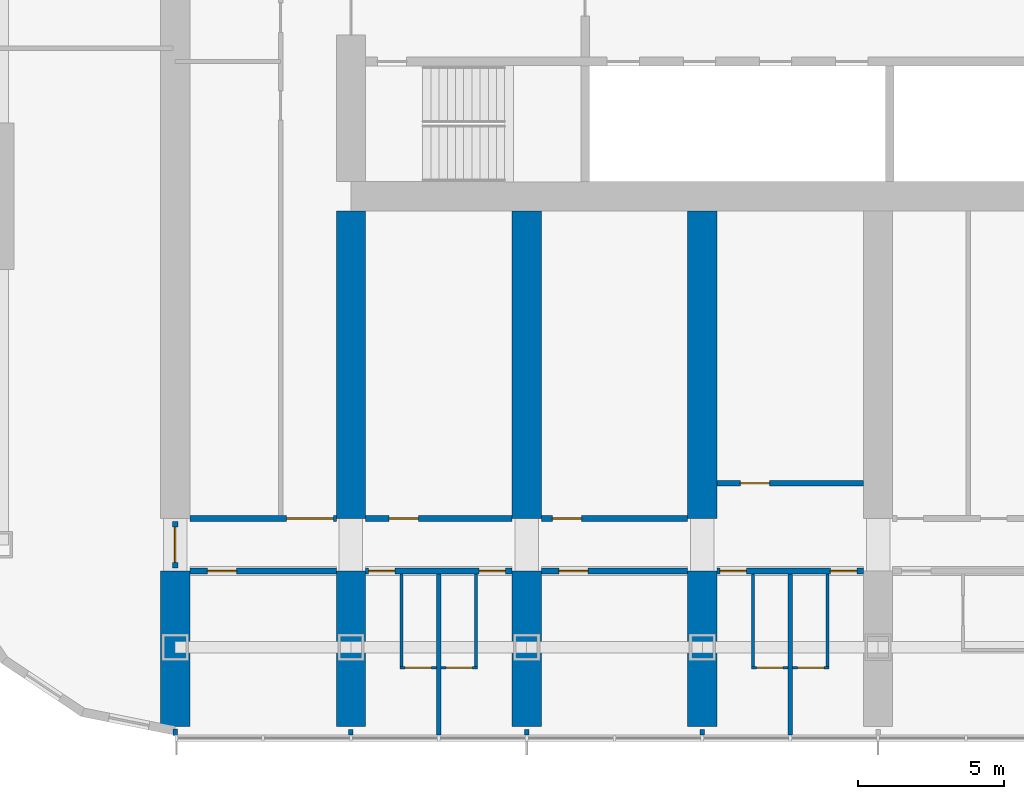
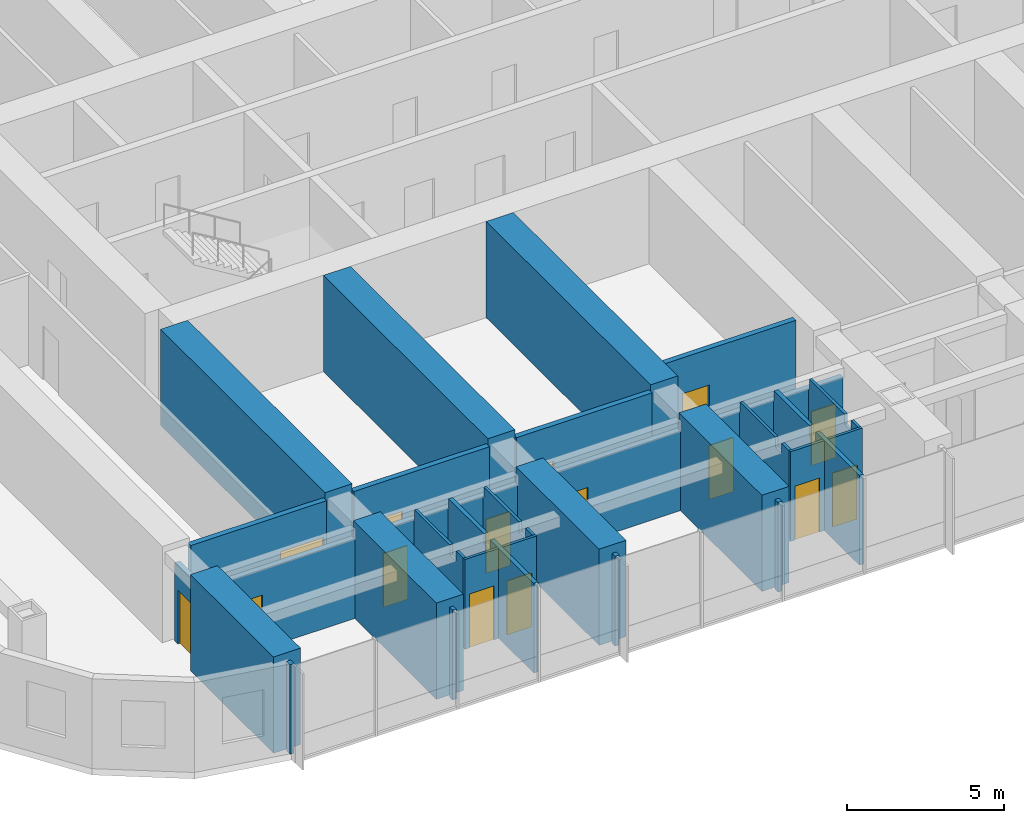
# One storey, part 10 of 22: 30 walls, 15 doors, 15 openings.
"""IFC4 building model written with IfcOpenShell, lengths in metres."""

from ifc_helpers import new_model, si_unit, direction, frame, frame_2d, origin, place, context, subcontext, project, spatial, polyline, rectangle, outline, extrude, material, layer, layer_set, type_object, element, fill, save


model = new_model("IFC4")

# Units and contexts
model_context = context("Model", 3, precision=1e-05, world=origin(), true_north=direction((0.0, 1.0)))
body_context = subcontext(model_context, "Body", "Model", "MODEL_VIEW")
ifc_project = project(units=[si_unit("LENGTHUNIT", "METRE"), si_unit("AREAUNIT", "SQUARE_METRE"), si_unit("VOLUMEUNIT", "CUBIC_METRE"), si_unit("PLANEANGLEUNIT", "RADIAN"), si_unit("MASSUNIT", "GRAM", prefix="KILO")], contexts=[model_context])

# Site, building, storey
site_placement = place(None, origin())
site = spatial("IfcSite", under=ifc_project, at=site_placement, CompositionType="ELEMENT")
building_placement = place(site_placement, origin())
building = spatial("IfcBuilding", under=site, at=building_placement, Name="Orbita Commons", CompositionType="ELEMENT")
storey_placement = place(building_placement, frame((0.0, 0.0, 57.699951171875)))
storey = spatial("IfcBuildingStorey", under=building, at=storey_placement, Name="L14", CompositionType="ELEMENT", Elevation=57.699951171875)

# Wall, opening, door
ifc_material_1 = material(Name="Concrete blockwork", Category="masonry")
ifc_layer_1 = layer(ifc_material_1, 0.199951171875)
ifc_layer_set_1 = layer_set([ifc_layer_1], Name="Concrete blockwork")
wall_type_1 = type_object("IfcWallType", Name="Corridor wall 200 blockwork", PredefinedType="SOLIDWALL", material=ifc_layer_set_1)
wall_1_placement = place(storey_placement, frame((12.5, 13.0, 0.0), z_axis=(0.0, 0.0, 1.0), x_axis=(1.0, 0.0, 0.0)))
wall_1 = element("IfcWall", 1, at=wall_1_placement, inside=storey, type_object=wall_type_1, Name="Corridor wall 200 blockwork L14", PredefinedType="SOLIDWALL", context=body_context, shape_type="SweptSolid", body=[
    extrude(outline(polyline([(0.0, 0.0), (5.0, 0.0), (5.0, 3.10009765625), (0.0, 3.10009765625), (0.0, 0.0)])), frame((0.0, 0.10009765625, 0.0), z_axis=(0.0, -1.0, 0.0), x_axis=(1.0, 0.0, 0.0)), (0.0, 0.0, 1.0), 0.199951171875),
])
opening_1_placement = place(wall_1_placement, frame((0.60009765625, 0.0, 0.0)))
opening_1 = element("IfcOpeningElement", 2, at=opening_1_placement, cuts=wall_1, Name="Opening D06", PredefinedType="OPENING", context=body_context, shape_type="SweptSolid", body=[
    extrude(rectangle(XDim=1.0, YDim=2.10009765625, at=frame_2d((0.5, 1.050048828125))), frame((0.0, 0.10986328125, 0.0), z_axis=(0.0, -1.0, 0.0), x_axis=(1.0, 0.0, 0.0)), (0.0, 0.0, 1.0), 0.219970703125),
])
ifc_material_2 = material(Name="Steel-faced fire door leaf", Category="steel")
door_type_1 = type_object("IfcDoorType", Name="Corridor door 20 min 1000x2100", OperationType="SINGLE_SWING_LEFT", PredefinedType="DOOR", material=ifc_material_2)
door_1_placement = place(opening_1_placement, origin())
door_1 = element("IfcDoor", 3, at=door_1_placement, inside=storey, type_object=door_type_1, Name="House common room L14-S00 door", OperationType="SINGLE_SWING_LEFT", OverallHeight=2.10009765625, OverallWidth=1.0, PredefinedType="DOOR", context=body_context, shape_type="SweptSolid", body=[
    extrude(rectangle(XDim=1.0, YDim=2.10009765625, at=frame_2d((0.5, 1.050048828125))), frame((0.0, 0.02490234375, 0.0), z_axis=(0.0, -1.0, 0.0), x_axis=(1.0, 0.0, 0.0)), (0.0, 0.0, 1.0), 0.050048828125),
])
fill(opening_1, door_1)

# Wall, openings, doors
wall_2_placement = place(storey_placement, frame((18.5, 13.0, 0.0), z_axis=(0.0, 0.0, 1.0), x_axis=(1.0, 0.0, 0.0)))
wall_2 = element("IfcWall", 4, at=wall_2_placement, inside=storey, type_object=wall_type_1, Name="Corridor wall 200 blockwork L14", PredefinedType="SOLIDWALL", context=body_context, shape_type="SweptSolid", body=[
    extrude(outline(polyline([(0.0, 0.0), (5.0, 0.0), (5.0, 3.10009765625), (0.0, 3.10009765625), (0.0, 0.0)])), frame((0.0, 0.10009765625, 0.0), z_axis=(0.0, -1.0, 0.0), x_axis=(1.0, 0.0, 0.0)), (0.0, 0.0, 1.0), 0.199951171875),
])
opening_2_placement = place(wall_2_placement, frame((0.10009765625, 0.0, 0.0)))
opening_2 = element("IfcOpeningElement", 5, at=opening_2_placement, cuts=wall_2, Name="Opening D11", PredefinedType="OPENING", context=body_context, shape_type="SweptSolid", body=[
    extrude(rectangle(XDim=0.89990234375, YDim=2.10009765625, at=frame_2d((0.449951171875, 1.050048828125))), frame((0.0, 0.10986328125, 0.0), z_axis=(0.0, -1.0, 0.0), x_axis=(1.0, 0.0, 0.0)), (0.0, 0.0, 1.0), 0.219970703125),
])
opening_3_placement = place(wall_2_placement, frame((3.875, 0.0, 0.0)))
opening_3 = element("IfcOpeningElement", 6, at=opening_3_placement, cuts=wall_2, Name="Opening D11", PredefinedType="OPENING", context=body_context, shape_type="SweptSolid", body=[
    extrude(rectangle(XDim=0.89990234375, YDim=2.10009765625, at=frame_2d((0.449951171875, 1.050048828125))), frame((0.0, 0.10986328125, 0.0), z_axis=(0.0, -1.0, 0.0), x_axis=(1.0, 0.0, 0.0)), (0.0, 0.0, 1.0), 0.219970703125),
])
ifc_material_3 = material(Name="Steel-faced fire door leaf", Category="steel")
door_type_2 = type_object("IfcDoorType", Name="Corridor door 20 min 900x2100", OperationType="SINGLE_SWING_LEFT", PredefinedType="DOOR", material=ifc_material_3)
door_2_placement = place(opening_2_placement, origin())
door_2 = element("IfcDoor", 7, at=door_2_placement, inside=storey, type_object=door_type_2, Name="House bedroom L14-S02 door", OperationType="SINGLE_SWING_LEFT", OverallHeight=2.10009765625, OverallWidth=0.89990234375, PredefinedType="DOOR", context=body_context, shape_type="SweptSolid", body=[
    extrude(rectangle(XDim=0.89990234375, YDim=2.10009765625, at=frame_2d((0.449951171875, 1.050048828125))), frame((0.0, 0.02490234375, 0.0), z_axis=(0.0, -1.0, 0.0), x_axis=(1.0, 0.0, 0.0)), (0.0, 0.0, 1.0), 0.050048828125),
])
fill(opening_2, door_2)
door_3_placement = place(opening_3_placement, origin())
door_3 = element("IfcDoor", 8, at=door_3_placement, inside=storey, type_object=door_type_2, Name="House bedroom L14-S03 door", OperationType="SINGLE_SWING_LEFT", OverallHeight=2.10009765625, OverallWidth=0.89990234375, PredefinedType="DOOR", context=body_context, shape_type="SweptSolid", body=[
    extrude(rectangle(XDim=0.89990234375, YDim=2.10009765625, at=frame_2d((0.449951171875, 1.050048828125))), frame((0.0, 0.02490234375, 0.0), z_axis=(0.0, -1.0, 0.0), x_axis=(1.0, 0.0, 0.0)), (0.0, 0.0, 1.0), 0.050048828125),
])
fill(opening_3, door_3)

# Wall, opening, door
wall_3_placement = place(storey_placement, frame((24.5, 13.0, 0.0), z_axis=(0.0, 0.0, 1.0), x_axis=(1.0, 0.0, 0.0)))
wall_3 = element("IfcWall", 9, at=wall_3_placement, inside=storey, type_object=wall_type_1, Name="Corridor wall 200 blockwork L14", PredefinedType="SOLIDWALL", context=body_context, shape_type="SweptSolid", body=[
    extrude(outline(polyline([(0.0, 0.0), (5.0, 0.0), (5.0, 3.10009765625), (0.0, 3.10009765625), (0.0, 0.0)])), frame((0.0, 0.10009765625, 0.0), z_axis=(0.0, -1.0, 0.0), x_axis=(1.0, 0.0, 0.0)), (0.0, 0.0, 1.0), 0.199951171875),
])
opening_4_placement = place(wall_3_placement, frame((0.60009765625, 0.0, 0.0)))
opening_4 = element("IfcOpeningElement", 10, at=opening_4_placement, cuts=wall_3, Name="Opening D06", PredefinedType="OPENING", context=body_context, shape_type="SweptSolid", body=[
    extrude(rectangle(XDim=1.0, YDim=2.10009765625, at=frame_2d((0.5, 1.050048828125))), frame((0.0, 0.10986328125, 0.0), z_axis=(0.0, -1.0, 0.0), x_axis=(1.0, 0.0, 0.0)), (0.0, 0.0, 1.0), 0.219970703125),
])
door_4_placement = place(opening_4_placement, origin())
door_4 = element("IfcDoor", 11, at=door_4_placement, inside=storey, type_object=door_type_1, Name="House common room L14-S04 door", OperationType="SINGLE_SWING_LEFT", OverallHeight=2.10009765625, OverallWidth=1.0, PredefinedType="DOOR", context=body_context, shape_type="SweptSolid", body=[
    extrude(rectangle(XDim=1.0, YDim=2.10009765625, at=frame_2d((0.5, 1.050048828125))), frame((0.0, 0.02490234375, 0.0), z_axis=(0.0, -1.0, 0.0), x_axis=(1.0, 0.0, 0.0)), (0.0, 0.0, 1.0), 0.050048828125),
])
fill(opening_4, door_4)

# Wall, openings, doors
wall_4_placement = place(storey_placement, frame((30.5, 13.0, 0.0), z_axis=(0.0, 0.0, 1.0), x_axis=(1.0, 0.0, 0.0)))
wall_4 = element("IfcWall", 12, at=wall_4_placement, inside=storey, type_object=wall_type_1, Name="Corridor wall 200 blockwork L14", PredefinedType="SOLIDWALL", context=body_context, shape_type="SweptSolid", body=[
    extrude(outline(polyline([(0.0, 0.0), (5.0, 0.0), (5.0, 3.10009765625), (0.0, 3.10009765625), (0.0, 0.0)])), frame((0.0, 0.10009765625, 0.0), z_axis=(0.0, -1.0, 0.0), x_axis=(1.0, 0.0, 0.0)), (0.0, 0.0, 1.0), 0.199951171875),
])
opening_5_placement = place(wall_4_placement, frame((0.10009765625, 0.0, 0.0)))
opening_5 = element("IfcOpeningElement", 13, at=opening_5_placement, cuts=wall_4, Name="Opening D11", PredefinedType="OPENING", context=body_context, shape_type="SweptSolid", body=[
    extrude(rectangle(XDim=0.89990234375, YDim=2.10009765625, at=frame_2d((0.449951171875, 1.050048828125))), frame((0.0, 0.10986328125, 0.0), z_axis=(0.0, -1.0, 0.0), x_axis=(1.0, 0.0, 0.0)), (0.0, 0.0, 1.0), 0.219970703125),
])
opening_6_placement = place(wall_4_placement, frame((3.875, 0.0, 0.0)))
opening_6 = element("IfcOpeningElement", 14, at=opening_6_placement, cuts=wall_4, Name="Opening D11", PredefinedType="OPENING", context=body_context, shape_type="SweptSolid", body=[
    extrude(rectangle(XDim=0.89990234375, YDim=2.10009765625, at=frame_2d((0.449951171875, 1.050048828125))), frame((0.0, 0.10986328125, 0.0), z_axis=(0.0, -1.0, 0.0), x_axis=(1.0, 0.0, 0.0)), (0.0, 0.0, 1.0), 0.219970703125),
])
door_5_placement = place(opening_5_placement, origin())
door_5 = element("IfcDoor", 15, at=door_5_placement, inside=storey, type_object=door_type_2, Name="House bedroom L14-S06 door", OperationType="SINGLE_SWING_LEFT", OverallHeight=2.10009765625, OverallWidth=0.89990234375, PredefinedType="DOOR", context=body_context, shape_type="SweptSolid", body=[
    extrude(rectangle(XDim=0.89990234375, YDim=2.10009765625, at=frame_2d((0.449951171875, 1.050048828125))), frame((0.0, 0.02490234375, 0.0), z_axis=(0.0, -1.0, 0.0), x_axis=(1.0, 0.0, 0.0)), (0.0, 0.0, 1.0), 0.050048828125),
])
fill(opening_5, door_5)
door_6_placement = place(opening_6_placement, origin())
door_6 = element("IfcDoor", 16, at=door_6_placement, inside=storey, type_object=door_type_2, Name="House bedroom L14-S07 door", OperationType="SINGLE_SWING_LEFT", OverallHeight=2.10009765625, OverallWidth=0.89990234375, PredefinedType="DOOR", context=body_context, shape_type="SweptSolid", body=[
    extrude(rectangle(XDim=0.89990234375, YDim=2.10009765625, at=frame_2d((0.449951171875, 1.050048828125))), frame((0.0, 0.02490234375, 0.0), z_axis=(0.0, -1.0, 0.0), x_axis=(1.0, 0.0, 0.0)), (0.0, 0.0, 1.0), 0.050048828125),
])
fill(opening_6, door_6)

# Wall, opening, door
wall_5_placement = place(storey_placement, frame((12.0, 13.10009765625, 0.0), z_axis=(0.0, 0.0, 1.0), x_axis=(0.0, 1.0, 0.0)))
wall_5 = element("IfcWall", 17, at=wall_5_placement, inside=storey, type_object=wall_type_1, Name="Corridor wall 200 blockwork L14", PredefinedType="SOLIDWALL", context=body_context, shape_type="SweptSolid", body=[
    extrude(outline(polyline([(0.0, 0.0), (1.599853515625, 0.0), (1.60009765625, 3.050048828125), (0.0, 3.050048828125), (0.0, 0.0)])), frame((0.0, 0.10009765625, 0.0), z_axis=(0.0, -1.0, 0.0), x_axis=(1.0, 0.0, 0.0)), (0.0, 0.0, 1.0), 0.199951171875),
])
opening_7_placement = place(wall_5_placement, frame((0.199951171875, 0.0, 0.0)))
opening_7 = element("IfcOpeningElement", 18, at=opening_7_placement, cuts=wall_5, Name="Opening D12", PredefinedType="OPENING", context=body_context, shape_type="SweptSolid", body=[
    extrude(rectangle(XDim=1.199951171875, YDim=2.10009765625, at=frame_2d((0.60009765625, 1.050048828125))), frame((0.0, 0.10986328125, 0.0), z_axis=(0.0, -1.0, 0.0), x_axis=(1.0, 0.0, 0.0)), (0.0, 0.0, 1.0), 0.219970703125),
])
ifc_material_4 = material(Name="Steel-faced fire door leaf", Category="steel")
door_type_3 = type_object("IfcDoorType", Name="Double corridor door 20 min 1200x2100", OperationType="DOUBLE_DOOR_SINGLE_SWING", PredefinedType="DOOR", material=ifc_material_4)
door_7_placement = place(opening_7_placement, origin())
door_7 = element("IfcDoor", 19, at=door_7_placement, inside=storey, type_object=door_type_3, Name="Lounge doors", OperationType="DOUBLE_DOOR_SINGLE_SWING", OverallHeight=2.10009765625, OverallWidth=1.199951171875, PredefinedType="DOOR", context=body_context, shape_type="SweptSolid", body=[
    extrude(rectangle(XDim=1.199951171875, YDim=2.10009765625, at=frame_2d((0.60009765625, 1.050048828125))), frame((0.0, 0.02490234375, 0.0), z_axis=(0.0, -1.0, 0.0), x_axis=(1.0, 0.0, 0.0)), (0.0, 0.0, 1.0), 0.050048828125),
])
fill(opening_7, door_7)

ifc_material_5 = material(Name="Hollow concrete block 200", Category="concrete")
ifc_layer_2 = layer(ifc_material_5, 0.199951171875)
ifc_layer_set_2 = layer_set([ifc_layer_2], Name="Hollow concrete block 200")
wall_type_2 = type_object("IfcWallType", Name="Corridor wall 200 hollow concrete block", PredefinedType="SOLIDWALL", material=ifc_layer_set_2)
wall_6_placement = place(storey_placement, frame((12.5, 14.800048828125, 0.0), z_axis=(0.0, 0.0, 1.0), x_axis=(1.0, 0.0, 0.0)))
wall_6 = element("IfcWall", 20, at=wall_6_placement, inside=storey, type_object=wall_type_2, Name="Corridor wall 200 hollow concrete block L14", PredefinedType="SOLIDWALL", context=body_context, shape_type="SweptSolid", body=[
    extrude(rectangle(XDim=5.0, YDim=0.199951171875, at=frame_2d((2.5, 0.0))), origin(), (0.0, 0.0, 1.0), 3.5),
])
opening_8_placement = place(wall_6_placement, frame((3.300048828125, 0.0, 0.0)))
opening_8 = element("IfcOpeningElement", 21, at=opening_8_placement, cuts=wall_6, Name="Opening D10", PredefinedType="OPENING", context=body_context, shape_type="SweptSolid", body=[
    extrude(rectangle(XDim=1.60009765625, YDim=2.10009765625, at=frame_2d((0.800048828125, 1.050048828125))), frame((0.0, 0.10986328125, 0.0), z_axis=(0.0, -1.0, 0.0), x_axis=(1.0, 0.0, 0.0)), (0.0, 0.0, 1.0), 0.219970703125),
])
ifc_material_6 = material(Name="Steel-faced fire door leaf", Category="steel")
door_type_4 = type_object("IfcDoorType", Name="Double corridor door 20 min 1600x2100", OperationType="DOUBLE_DOOR_SINGLE_SWING", PredefinedType="DOOR", material=ifc_material_6)
door_8_placement = place(opening_8_placement, origin())
door_8 = element("IfcDoor", 22, at=door_8_placement, inside=storey, type_object=door_type_4, Name="Cross corridor doors", OperationType="DOUBLE_DOOR_SINGLE_SWING", OverallHeight=2.10009765625, OverallWidth=1.60009765625, PredefinedType="DOOR", context=body_context, shape_type="SweptSolid", body=[
    extrude(rectangle(XDim=1.60009765625, YDim=2.10009765625, at=frame_2d((0.800048828125, 1.050048828125))), frame((0.0, 0.02490234375, 0.0), z_axis=(0.0, -1.0, 0.0), x_axis=(1.0, 0.0, 0.0)), (0.0, 0.0, 1.0), 0.050048828125),
])
fill(opening_8, door_8)

wall_7_placement = place(storey_placement, frame((18.5, 14.800048828125, 0.0), z_axis=(0.0, 0.0, 1.0), x_axis=(1.0, 0.0, 0.0)))
wall_7 = element("IfcWall", 23, at=wall_7_placement, inside=storey, type_object=wall_type_2, Name="Corridor wall 200 hollow concrete block L14", PredefinedType="SOLIDWALL", context=body_context, shape_type="SweptSolid", body=[
    extrude(rectangle(XDim=5.0, YDim=0.199951171875, at=frame_2d((2.5, 0.0))), origin(), (0.0, 0.0, 1.0), 3.5),
])
opening_9_placement = place(wall_7_placement, frame((0.800048828125, 0.0, 0.0)))
opening_9 = element("IfcOpeningElement", 24, at=opening_9_placement, cuts=wall_7, Name="Opening D06", PredefinedType="OPENING", context=body_context, shape_type="SweptSolid", body=[
    extrude(rectangle(XDim=1.0, YDim=2.10009765625, at=frame_2d((0.5, 1.050048828125))), frame((0.0, 0.10986328125, 0.0), z_axis=(0.0, -1.0, 0.0), x_axis=(1.0, 0.0, 0.0)), (0.0, 0.0, 1.0), 0.219970703125),
])
door_9_placement = place(opening_9_placement, origin())
door_9 = element("IfcDoor", 25, at=door_9_placement, inside=storey, type_object=door_type_1, Name="Bulk and luggage store L14-BDS18 door", OperationType="SINGLE_SWING_LEFT", OverallHeight=2.10009765625, OverallWidth=1.0, PredefinedType="DOOR", context=body_context, shape_type="SweptSolid", body=[
    extrude(rectangle(XDim=1.0, YDim=2.10009765625, at=frame_2d((0.5, 1.050048828125))), frame((0.0, 0.02490234375, 0.0), z_axis=(0.0, -1.0, 0.0), x_axis=(1.0, 0.0, 0.0)), (0.0, 0.0, 1.0), 0.050048828125),
])
fill(opening_9, door_9)

wall_8_placement = place(storey_placement, frame((24.5, 14.800048828125, 0.0), z_axis=(0.0, 0.0, 1.0), x_axis=(1.0, 0.0, 0.0)))
wall_8 = element("IfcWall", 26, at=wall_8_placement, inside=storey, type_object=wall_type_2, Name="Corridor wall 200 hollow concrete block L14", PredefinedType="SOLIDWALL", context=body_context, shape_type="SweptSolid", body=[
    extrude(rectangle(XDim=5.0, YDim=0.199951171875, at=frame_2d((2.5, 0.0))), origin(), (0.0, 0.0, 1.0), 3.5),
])
opening_10_placement = place(wall_8_placement, frame((0.375, 0.0, 0.0)))
opening_10 = element("IfcOpeningElement", 27, at=opening_10_placement, cuts=wall_8, Name="Opening D06", PredefinedType="OPENING", context=body_context, shape_type="SweptSolid", body=[
    extrude(rectangle(XDim=1.0, YDim=2.10009765625, at=frame_2d((0.5, 1.050048828125))), frame((0.0, 0.10986328125, 0.0), z_axis=(0.0, -1.0, 0.0), x_axis=(1.0, 0.0, 0.0)), (0.0, 0.0, 1.0), 0.219970703125),
])
door_10_placement = place(opening_10_placement, origin())
door_10 = element("IfcDoor", 28, at=door_10_placement, inside=storey, type_object=door_type_1, Name="Linen store L14-BDS24 door", OperationType="SINGLE_SWING_LEFT", OverallHeight=2.10009765625, OverallWidth=1.0, PredefinedType="DOOR", context=body_context, shape_type="SweptSolid", body=[
    extrude(rectangle(XDim=1.0, YDim=2.10009765625, at=frame_2d((0.5, 1.050048828125))), frame((0.0, 0.02490234375, 0.0), z_axis=(0.0, -1.0, 0.0), x_axis=(1.0, 0.0, 0.0)), (0.0, 0.0, 1.0), 0.050048828125),
])
fill(opening_10, door_10)

wall_9_placement = place(storey_placement, frame((30.5, 16.0, 0.0), z_axis=(0.0, 0.0, 1.0), x_axis=(1.0, 0.0, 0.0)))
wall_9 = element("IfcWall", 29, at=wall_9_placement, inside=storey, type_object=wall_type_2, Name="Corridor wall 200 hollow concrete block L14", PredefinedType="SOLIDWALL", context=body_context, shape_type="SweptSolid", body=[
    extrude(rectangle(XDim=5.0, YDim=0.199951171875, at=frame_2d((2.5, 0.0))), origin(), (0.0, 0.0, 1.0), 3.5),
])
opening_11_placement = place(wall_9_placement, frame((0.800048828125, 0.0, 0.0)))
opening_11 = element("IfcOpeningElement", 30, at=opening_11_placement, cuts=wall_9, Name="Opening D06", PredefinedType="OPENING", context=body_context, shape_type="SweptSolid", body=[
    extrude(rectangle(XDim=1.0, YDim=2.10009765625, at=frame_2d((0.5, 1.050048828125))), frame((0.0, 0.10986328125, 0.0), z_axis=(0.0, -1.0, 0.0), x_axis=(1.0, 0.0, 0.0)), (0.0, 0.0, 1.0), 0.219970703125),
])
door_11_placement = place(opening_11_placement, origin())
door_11 = element("IfcDoor", 31, at=door_11_placement, inside=storey, type_object=door_type_1, Name="Group meeting room L14-BDS30 door", OperationType="SINGLE_SWING_LEFT", OverallHeight=2.10009765625, OverallWidth=1.0, PredefinedType="DOOR", context=body_context, shape_type="SweptSolid", body=[
    extrude(rectangle(XDim=1.0, YDim=2.10009765625, at=frame_2d((0.5, 1.050048828125))), frame((0.0, 0.02490234375, 0.0), z_axis=(0.0, -1.0, 0.0), x_axis=(1.0, 0.0, 0.0)), (0.0, 0.0, 1.0), 0.050048828125),
])
fill(opening_11, door_11)

# Walls
ifc_material_7 = material(Name="Concrete C50/60", Category="concrete")
ifc_layer_3 = layer(ifc_material_7, 1.0)
ifc_layer_set_3 = layer_set([ifc_layer_3], Name="Concrete C50/60")
wall_type_3 = type_object("IfcWallType", Name="Cross wall 1000 C50/60", PredefinedType="SHEAR", material=ifc_layer_set_3)
for number, where, z_axis, x_axis, name in (
    (32, (12.0, 7.699951171875, 0.0), (0.0, 0.0, 1.0), (0.0, 1.0, 0.0), "Cross wall 3 south outer L14"),
    (33, (18.0, 7.699951171875, 0.0), (0.0, 0.0, 1.0), (0.0, 1.0, 0.0), "Cross wall 4 south outer L14"),
):
    element("IfcWall", number, at=place(storey_placement, frame(where, z_axis=z_axis, x_axis=x_axis)), inside=storey, type_object=wall_type_3, Name=name, PredefinedType="SHEAR", context=body_context, shape_type="SweptSolid", body=[
        extrude(rectangle(XDim=5.300048828125, YDim=1.0, at=frame_2d((2.64990234375, 0.0))), origin(), (0.0, 0.0, 1.0), 3.75),
    ])
wall_10_placement = place(storey_placement, frame((18.0, 14.800048828125, 0.0), z_axis=(0.0, 0.0, 1.0), x_axis=(0.0, 1.0, 0.0)))
element("IfcWall", 34, at=wall_10_placement, inside=storey, type_object=wall_type_3, Name="Cross wall 4 south inner L14", PredefinedType="SHEAR", context=body_context, shape_type="SweptSolid", body=[
    extrude(rectangle(XDim=10.5, YDim=1.0, at=frame_2d((5.25, 0.0))), origin(), (0.0, 0.0, 1.0), 3.75),
])
wall_11_placement = place(storey_placement, frame((24.0, 7.699951171875, 0.0), z_axis=(0.0, 0.0, 1.0), x_axis=(0.0, 1.0, 0.0)))
element("IfcWall", 35, at=wall_11_placement, inside=storey, type_object=wall_type_3, Name="Cross wall 5 south outer L14", PredefinedType="SHEAR", context=body_context, shape_type="SweptSolid", body=[
    extrude(rectangle(XDim=5.300048828125, YDim=1.0, at=frame_2d((2.64990234375, 0.0))), origin(), (0.0, 0.0, 1.0), 3.75),
])
wall_12_placement = place(storey_placement, frame((24.0, 14.800048828125, 0.0), z_axis=(0.0, 0.0, 1.0), x_axis=(0.0, 1.0, 0.0)))
element("IfcWall", 36, at=wall_12_placement, inside=storey, type_object=wall_type_3, Name="Cross wall 5 south inner L14", PredefinedType="SHEAR", context=body_context, shape_type="SweptSolid", body=[
    extrude(rectangle(XDim=10.5, YDim=1.0, at=frame_2d((5.25, 0.0))), origin(), (0.0, 0.0, 1.0), 3.75),
])
wall_13_placement = place(storey_placement, frame((30.0, 7.699951171875, 0.0), z_axis=(0.0, 0.0, 1.0), x_axis=(0.0, 1.0, 0.0)))
element("IfcWall", 37, at=wall_13_placement, inside=storey, type_object=wall_type_3, Name="Cross wall 6 south outer L14", PredefinedType="SHEAR", context=body_context, shape_type="SweptSolid", body=[
    extrude(rectangle(XDim=5.300048828125, YDim=1.0, at=frame_2d((2.64990234375, 0.0))), origin(), (0.0, 0.0, 1.0), 3.75),
])
wall_14_placement = place(storey_placement, frame((30.0, 14.800048828125, 0.0), z_axis=(0.0, 0.0, 1.0), x_axis=(0.0, 1.0, 0.0)))
element("IfcWall", 38, at=wall_14_placement, inside=storey, type_object=wall_type_3, Name="Cross wall 6 south inner L14", PredefinedType="SHEAR", context=body_context, shape_type="SweptSolid", body=[
    extrude(rectangle(XDim=10.5, YDim=1.0, at=frame_2d((5.25, 0.0))), origin(), (0.0, 0.0, 1.0), 3.75),
])

# Wall, opening, door
ifc_material_8 = material(Name="Moisture-resistant plasterboard on steel studs", Category="steel")
ifc_layer_4 = layer(ifc_material_8, 0.10009765625)
ifc_layer_set_4 = layer_set([ifc_layer_4], Name="Moisture-resistant plasterboard on steel studs")
wall_type_4 = type_object("IfcWallType", Name="En-suite partition 100", PredefinedType="PARTITIONING", material=ifc_layer_set_4)
wall_15_placement = place(storey_placement, frame((20.925048828125, 9.699951171875, 0.0), z_axis=(0.0, 0.0, 1.0), x_axis=(-1.0, 0.0, 0.0)))
wall_15 = element("IfcWall", 39, at=wall_15_placement, inside=storey, type_object=wall_type_4, Name="En-suite partition 100 L14", PredefinedType="PARTITIONING", context=body_context, shape_type="SweptSolid", body=[
    extrude(rectangle(XDim=1.25, YDim=0.10009765625, at=frame_2d((0.625, 0.0))), origin(), (0.0, 0.0, 1.0), 3.5),
])
opening_12_placement = place(wall_15_placement, frame((0.175048828125, 0.0, 0.0)))
opening_12 = element("IfcOpeningElement", 40, at=opening_12_placement, cuts=wall_15, Name="Opening D09", PredefinedType="OPENING", context=body_context, shape_type="SweptSolid", body=[
    extrude(rectangle(XDim=0.89990234375, YDim=2.10009765625, at=frame_2d((0.449951171875, 1.050048828125))), frame((0.0, 0.06005859375, 0.0), z_axis=(0.0, -1.0, 0.0), x_axis=(1.0, 0.0, 0.0)), (0.0, 0.0, 1.0), 0.1201171875),
])
ifc_material_9 = material(Name="Laminated timber door leaf", Category="wood")
door_type_5 = type_object("IfcDoorType", Name="En-suite door 900x2100", OperationType="SINGLE_SWING_RIGHT", PredefinedType="DOOR", material=ifc_material_9)
door_12_placement = place(opening_12_placement, origin())
door_12 = element("IfcDoor", 41, at=door_12_placement, inside=storey, type_object=door_type_5, Name="En-suite L14-S02 door", OperationType="SINGLE_SWING_RIGHT", OverallHeight=2.10009765625, OverallWidth=0.89990234375, PredefinedType="DOOR", context=body_context, shape_type="SweptSolid", body=[
    extrude(rectangle(XDim=0.89990234375, YDim=2.10009765625, at=frame_2d((0.449951171875, 1.050048828125))), frame((0.0, 0.02490234375, 0.0), z_axis=(0.0, -1.0, 0.0), x_axis=(1.0, 0.0, 0.0)), (0.0, 0.0, 1.0), 0.050048828125),
])
fill(opening_12, door_12)

# Wall
wall_16_placement = place(storey_placement, frame((19.72509765625, 9.75, 0.0), z_axis=(0.0, 0.0, 1.0), x_axis=(0.0, 1.0, 0.0)))
element("IfcWall", 42, at=wall_16_placement, inside=storey, type_object=wall_type_4, Name="En-suite partition 100 L14", PredefinedType="PARTITIONING", context=body_context, shape_type="SweptSolid", body=[
    extrude(outline(polyline([(0.0, 0.0), (3.14990234375, 0.0), (3.14990234375, 3.10009765625), (3.10205078125, 3.10009765625), (3.10009765625, 3.5), (0.85205078125, 3.5), (0.85009765625, 3.10009765625), (0.451904296875, 3.10009765625), (0.449951171875, 3.5), (0.0, 3.5), (0.0, 0.0)])), frame((0.0, 0.050048828125, 0.0), z_axis=(0.0, -1.0, 0.0), x_axis=(1.0, 0.0, 0.0)), (0.0, 0.0, 1.0), 0.10009765625),
])

# Wall, opening, door
wall_17_placement = place(storey_placement, frame((22.324951171875, 9.699951171875, 0.0), z_axis=(0.0, 0.0, 1.0), x_axis=(-1.0, 0.0, 0.0)))
wall_17 = element("IfcWall", 43, at=wall_17_placement, inside=storey, type_object=wall_type_4, Name="En-suite partition 100 L14", PredefinedType="PARTITIONING", context=body_context, shape_type="SweptSolid", body=[
    extrude(rectangle(XDim=1.25, YDim=0.10009765625, at=frame_2d((0.625, 0.0))), origin(), (0.0, 0.0, 1.0), 3.5),
])
opening_13_placement = place(wall_17_placement, frame((0.175048828125, 0.0, 0.0)))
opening_13 = element("IfcOpeningElement", 44, at=opening_13_placement, cuts=wall_17, Name="Opening D09", PredefinedType="OPENING", context=body_context, shape_type="SweptSolid", body=[
    extrude(rectangle(XDim=0.89990234375, YDim=2.10009765625, at=frame_2d((0.449951171875, 1.050048828125))), frame((0.0, 0.06005859375, 0.0), z_axis=(0.0, -1.0, 0.0), x_axis=(1.0, 0.0, 0.0)), (0.0, 0.0, 1.0), 0.1201171875),
])
door_13_placement = place(opening_13_placement, origin())
door_13 = element("IfcDoor", 45, at=door_13_placement, inside=storey, type_object=door_type_5, Name="En-suite L14-S03 door", OperationType="SINGLE_SWING_RIGHT", OverallHeight=2.10009765625, OverallWidth=0.89990234375, PredefinedType="DOOR", context=body_context, shape_type="SweptSolid", body=[
    extrude(rectangle(XDim=0.89990234375, YDim=2.10009765625, at=frame_2d((0.449951171875, 1.050048828125))), frame((0.0, 0.02490234375, 0.0), z_axis=(0.0, -1.0, 0.0), x_axis=(1.0, 0.0, 0.0)), (0.0, 0.0, 1.0), 0.050048828125),
])
fill(opening_13, door_13)

# Wall
wall_18_placement = place(storey_placement, frame((22.27490234375, 9.75, 0.0), z_axis=(0.0, 0.0, 1.0), x_axis=(0.0, 1.0, 0.0)))
element("IfcWall", 46, at=wall_18_placement, inside=storey, type_object=wall_type_4, Name="En-suite partition 100 L14", PredefinedType="PARTITIONING", context=body_context, shape_type="SweptSolid", body=[
    extrude(outline(polyline([(0.0, 0.0), (3.14990234375, 0.0), (3.14990234375, 3.10009765625), (3.10205078125, 3.10009765625), (3.10009765625, 3.5), (0.85205078125, 3.5), (0.85009765625, 3.10009765625), (0.451904296875, 3.10009765625), (0.449951171875, 3.5), (0.0, 3.5), (0.0, 0.0)])), frame((0.0, 0.050048828125, 0.0), z_axis=(0.0, -1.0, 0.0), x_axis=(1.0, 0.0, 0.0)), (0.0, 0.0, 1.0), 0.10009765625),
])

# Wall, opening, door
wall_19_placement = place(storey_placement, frame((32.925048828125, 9.699951171875, 0.0), z_axis=(0.0, 0.0, 1.0), x_axis=(-1.0, 0.0, 0.0)))
wall_19 = element("IfcWall", 47, at=wall_19_placement, inside=storey, type_object=wall_type_4, Name="En-suite partition 100 L14", PredefinedType="PARTITIONING", context=body_context, shape_type="SweptSolid", body=[
    extrude(rectangle(XDim=1.25, YDim=0.10009765625, at=frame_2d((0.625, 0.0))), origin(), (0.0, 0.0, 1.0), 3.5),
])
opening_14_placement = place(wall_19_placement, frame((0.175048828125, 0.0, 0.0)))
opening_14 = element("IfcOpeningElement", 48, at=opening_14_placement, cuts=wall_19, Name="Opening D09", PredefinedType="OPENING", context=body_context, shape_type="SweptSolid", body=[
    extrude(rectangle(XDim=0.89990234375, YDim=2.10009765625, at=frame_2d((0.449951171875, 1.050048828125))), frame((0.0, 0.06005859375, 0.0), z_axis=(0.0, -1.0, 0.0), x_axis=(1.0, 0.0, 0.0)), (0.0, 0.0, 1.0), 0.1201171875),
])
door_14_placement = place(opening_14_placement, origin())
door_14 = element("IfcDoor", 49, at=door_14_placement, inside=storey, type_object=door_type_5, Name="En-suite L14-S06 door", OperationType="SINGLE_SWING_RIGHT", OverallHeight=2.10009765625, OverallWidth=0.89990234375, PredefinedType="DOOR", context=body_context, shape_type="SweptSolid", body=[
    extrude(rectangle(XDim=0.89990234375, YDim=2.10009765625, at=frame_2d((0.449951171875, 1.050048828125))), frame((0.0, 0.02490234375, 0.0), z_axis=(0.0, -1.0, 0.0), x_axis=(1.0, 0.0, 0.0)), (0.0, 0.0, 1.0), 0.050048828125),
])
fill(opening_14, door_14)

# Wall
wall_20_placement = place(storey_placement, frame((31.72509765625, 9.75, 0.0), z_axis=(0.0, 0.0, 1.0), x_axis=(0.0, 1.0, 0.0)))
element("IfcWall", 50, at=wall_20_placement, inside=storey, type_object=wall_type_4, Name="En-suite partition 100 L14", PredefinedType="PARTITIONING", context=body_context, shape_type="SweptSolid", body=[
    extrude(outline(polyline([(0.0, 0.0), (3.14990234375, 0.0), (3.14990234375, 3.10009765625), (3.10205078125, 3.10009765625), (3.10009765625, 3.5), (0.85205078125, 3.5), (0.85009765625, 3.10009765625), (0.451904296875, 3.10009765625), (0.449951171875, 3.5), (0.0, 3.5), (0.0, 0.0)])), frame((0.0, 0.050048828125, 0.0), z_axis=(0.0, -1.0, 0.0), x_axis=(1.0, 0.0, 0.0)), (0.0, 0.0, 1.0), 0.10009765625),
])

# Wall, opening, door
wall_21_placement = place(storey_placement, frame((34.324951171875, 9.699951171875, 0.0), z_axis=(0.0, 0.0, 1.0), x_axis=(-1.0, 0.0, 0.0)))
wall_21 = element("IfcWall", 51, at=wall_21_placement, inside=storey, type_object=wall_type_4, Name="En-suite partition 100 L14", PredefinedType="PARTITIONING", context=body_context, shape_type="SweptSolid", body=[
    extrude(rectangle(XDim=1.25, YDim=0.10009765625, at=frame_2d((0.625, 0.0))), origin(), (0.0, 0.0, 1.0), 3.5),
])
opening_15_placement = place(wall_21_placement, frame((0.175048828125, 0.0, 0.0)))
opening_15 = element("IfcOpeningElement", 52, at=opening_15_placement, cuts=wall_21, Name="Opening D09", PredefinedType="OPENING", context=body_context, shape_type="SweptSolid", body=[
    extrude(rectangle(XDim=0.89990234375, YDim=2.10009765625, at=frame_2d((0.449951171875, 1.050048828125))), frame((0.0, 0.06005859375, 0.0), z_axis=(0.0, -1.0, 0.0), x_axis=(1.0, 0.0, 0.0)), (0.0, 0.0, 1.0), 0.1201171875),
])
door_15_placement = place(opening_15_placement, origin())
door_15 = element("IfcDoor", 53, at=door_15_placement, inside=storey, type_object=door_type_5, Name="En-suite L14-S07 door", OperationType="SINGLE_SWING_RIGHT", OverallHeight=2.10009765625, OverallWidth=0.89990234375, PredefinedType="DOOR", context=body_context, shape_type="SweptSolid", body=[
    extrude(rectangle(XDim=0.89990234375, YDim=2.10009765625, at=frame_2d((0.449951171875, 1.050048828125))), frame((0.0, 0.02490234375, 0.0), z_axis=(0.0, -1.0, 0.0), x_axis=(1.0, 0.0, 0.0)), (0.0, 0.0, 1.0), 0.050048828125),
])
fill(opening_15, door_15)

# Walls
wall_22_placement = place(storey_placement, frame((34.27490234375, 9.75, 0.0), z_axis=(0.0, 0.0, 1.0), x_axis=(0.0, 1.0, 0.0)))
element("IfcWall", 54, at=wall_22_placement, inside=storey, type_object=wall_type_4, Name="En-suite partition 100 L14", PredefinedType="PARTITIONING", context=body_context, shape_type="SweptSolid", body=[
    extrude(outline(polyline([(0.0, 0.0), (3.14990234375, 0.0), (3.14990234375, 3.10009765625), (3.10205078125, 3.10009765625), (3.10009765625, 3.5), (0.85205078125, 3.5), (0.85009765625, 3.10009765625), (0.451904296875, 3.10009765625), (0.449951171875, 3.5), (0.0, 3.5), (0.0, 0.0)])), frame((0.0, 0.050048828125, 0.0), z_axis=(0.0, -1.0, 0.0), x_axis=(1.0, 0.0, 0.0)), (0.0, 0.0, 1.0), 0.10009765625),
])
ifc_material_10 = material(Name="Gypsum plasterboard on steel studs", Category="steel")
ifc_layer_5 = layer(ifc_material_10, 0.14990234375)
ifc_layer_set_5 = layer_set([ifc_layer_5], Name="Gypsum plasterboard on steel studs")
wall_type_5 = type_object("IfcWallType", Name="Partition 150 plasterboard", PredefinedType="PARTITIONING", material=ifc_layer_set_5)
wall_23_placement = place(storey_placement, frame((12.0, 7.60009765625, 0.0), z_axis=(0.0, 0.0, 1.0), x_axis=(0.0, -1.0, 0.0)))
element("IfcWall", 55, at=wall_23_placement, inside=storey, type_object=wall_type_5, Name="Partition 150 plasterboard L14", PredefinedType="PARTITIONING", context=body_context, shape_type="SweptSolid", body=[
    extrude(rectangle(XDim=0.22021484375, YDim=0.14990234375, at=frame_2d((0.110107421875, 0.0))), origin(), (0.0, 0.0, 1.0), 3.5),
])
for number, where, z_axis, x_axis, name in (
    (56, (18.0, 7.60009765625, 0.0), (0.0, 0.0, 1.0), (0.0, -1.0, 0.0), "Partition 150 plasterboard L14"),
    (57, (24.0, 7.60009765625, 0.0), (0.0, 0.0, 1.0), (0.0, -1.0, 0.0), "Partition 150 plasterboard L14"),
    (58, (30.0, 7.60009765625, 0.0), (0.0, 0.0, 1.0), (0.0, -1.0, 0.0), "Partition 150 plasterboard L14"),
):
    element("IfcWall", number, at=place(storey_placement, frame(where, z_axis=z_axis, x_axis=x_axis)), inside=storey, type_object=wall_type_5, Name=name, PredefinedType="PARTITIONING", context=body_context, shape_type="SweptSolid", body=[
        extrude(rectangle(XDim=0.190185546875, YDim=0.14990234375, at=frame_2d((0.09521484375, 0.0))), origin(), (0.0, 0.0, 1.0), 3.5),
    ])
ifc_material_11 = material(Name="Gypsum plasterboard on steel studs", Category="steel")
ifc_layer_6 = layer(ifc_material_11, 0.14990234375)
ifc_layer_set_6 = layer_set([ifc_layer_6], Name="Gypsum plasterboard on steel studs")
wall_type_6 = type_object("IfcWallType", Name="Party wall 150 plasterboard", PredefinedType="PARTITIONING", material=ifc_layer_set_6)
for number, where, z_axis, x_axis, name in (
    (59, (21.0, 7.409912109375, 0.0), (0.0, 0.0, 1.0), (0.0, 1.0, 0.0), "Party wall 150 plasterboard L14"),
    (60, (33.0, 7.409912109375, 0.0), (0.0, 0.0, 1.0), (0.0, 1.0, 0.0), "Party wall 150 plasterboard L14"),
):
    element("IfcWall", number, at=place(storey_placement, frame(where, z_axis=z_axis, x_axis=x_axis)), inside=storey, type_object=wall_type_6, Name=name, PredefinedType="PARTITIONING", context=body_context, shape_type="SweptSolid", body=[
        extrude(outline(polyline([(0.0, 0.0), (5.489990234375, 0.0), (5.489990234375, 3.10009765625), (5.44189453125, 3.10009765625), (5.43994140625, 3.5), (3.19189453125, 3.5), (3.18994140625, 3.10009765625), (2.7919921875, 3.10009765625), (2.7900390625, 3.5), (0.0, 3.5), (0.0, 0.0)])), frame((0.0, 0.074951171875, 0.0), z_axis=(0.0, -1.0, 0.0), x_axis=(1.0, 0.0, 0.0)), (0.0, 0.0, 1.0), 0.14990234375),
    ])

save(model, "model.ifc")
